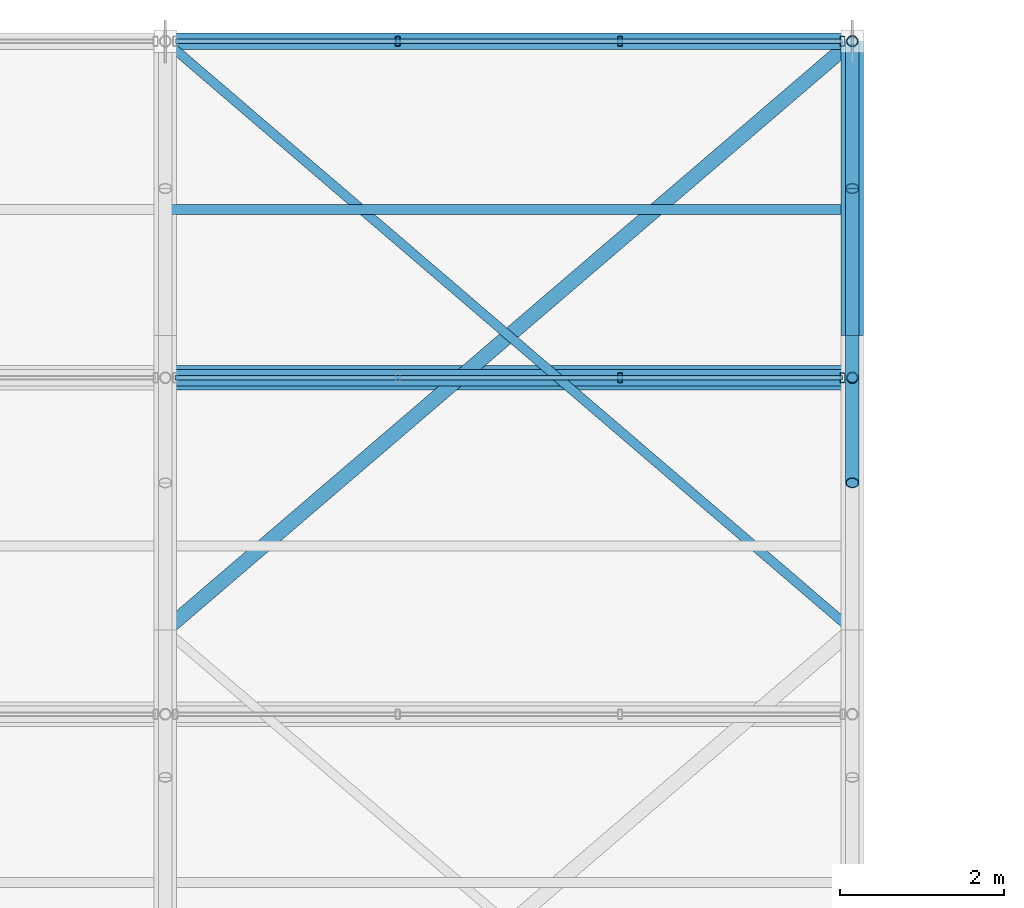
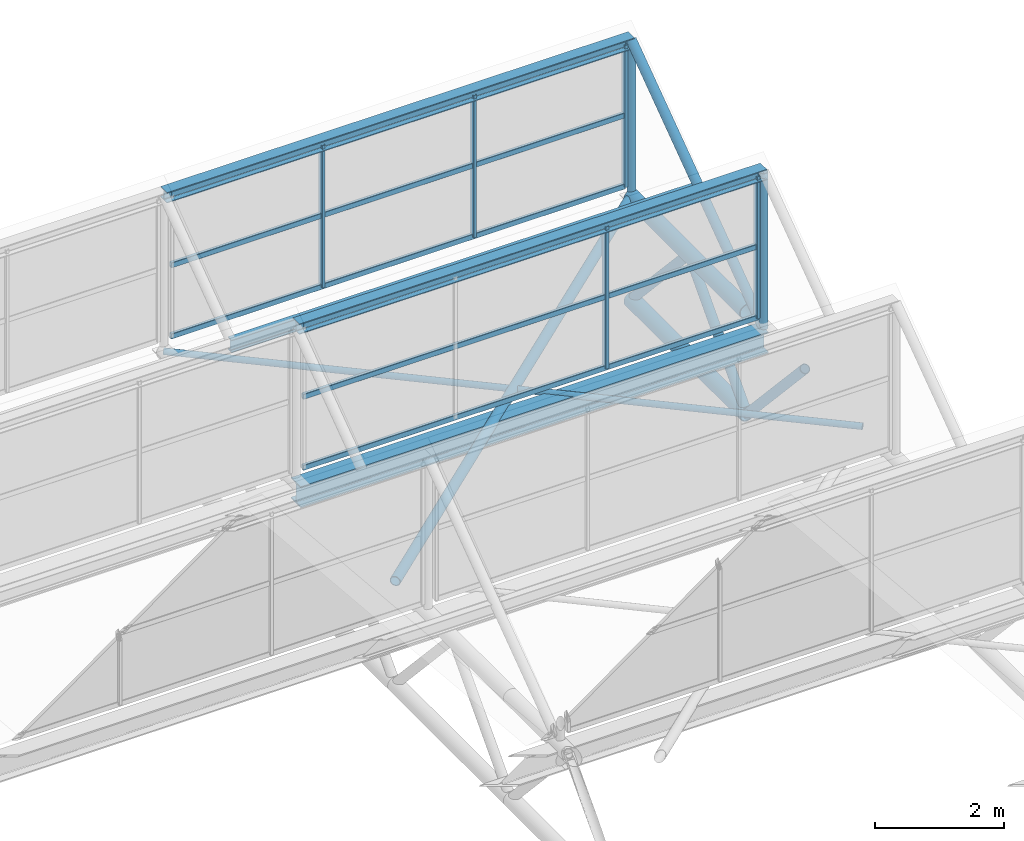
# One storey, part 93 of 134: 21 members, 4 beams, 2 elements without a shape of their own.
"""IFC4 building model written with IfcOpenShell, lengths in metres."""

from ifc_helpers import new_model, si_unit, derived_unit, direction, frame, origin, origin_2d, place, context, subcontext, project, spatial, hollow_rectangle, hollow_circle, i_section, extrude, material, material_profile, profile_set, type_object, element, aggregate, save


model = new_model("IFC4")

# Units and contexts
model_context = context("Model", 3, precision=1e-05, world=origin(), true_north=direction((0.0, 1.0)))
body_context = subcontext(model_context, "Body", "Model", "MODEL_VIEW")
ifc_project = project(units=[si_unit("LENGTHUNIT", "METRE"), si_unit("AREAUNIT", "SQUARE_METRE"), si_unit("VOLUMEUNIT", "CUBIC_METRE"), si_unit("PLANEANGLEUNIT", "RADIAN"), si_unit("MASSUNIT", "GRAM", prefix="KILO"), derived_unit("THERMALTRANSMITTANCEUNIT", [(si_unit("MASSUNIT", "GRAM", prefix="KILO"), 1), (si_unit("TIMEUNIT", "SECOND"), -3), (si_unit("THERMODYNAMICTEMPERATUREUNIT", "KELVIN"), -1)])], contexts=[model_context])

# Site, building, storey
site_placement = place(None, origin())
site = spatial("IfcSite", under=ifc_project, at=site_placement, CompositionType="ELEMENT")
building_placement = place(site_placement, origin())
building = spatial("IfcBuilding", under=site, at=building_placement, Name="Kharveza Railside Sports Centre", CompositionType="ELEMENT")
storey_placement = place(building_placement, frame((0.0, 0.0, 12.89990234375)))
storey = spatial("IfcBuildingStorey", under=building, at=storey_placement, Name="L03", CompositionType="ELEMENT", Elevation=12.89990234375)

# Beams
ifc_material_1 = material(Name="Steel S355J2", Category="steel")
ifc_material_profile_1 = material_profile(ifc_material_1, i_section(OverallWidth=0.300048828125, OverallDepth=0.39990234375, WebThickness=0.013427734375, FlangeThickness=0.02392578125, FilletRadius=0.027099609375, at=origin_2d()), Name="HEB 400")
ifc_profile_set_1 = profile_set([ifc_material_profile_1], Name="Steel S355J2")
beam_type_1 = type_object("IfcBeamType", Name="BM-G07", PredefinedType="T_BEAM", material=ifc_profile_set_1)
beam_1_placement = place(storey_placement, frame((134.39990234375, 103.8857421875, 1.760009765625), z_axis=(1.0, 0.0, 0.0), x_axis=(0.0, 1.0, 0.0)))
element("IfcBeam", 1, at=beam_1_placement, inside=storey, type_object=beam_type_1, Name="BM-V2SAW-VAL-7-6", PredefinedType="T_BEAM", context=body_context, shape_type="SweptSolid", body=[
    extrude(i_section(OverallWidth=0.300048828125, OverallDepth=0.39990234375, WebThickness=0.013427734375, FlangeThickness=0.02392578125, FilletRadius=0.027099609375, at=origin_2d()), origin(), (0.0, 0.0, 1.0), 8.400146484375),
])
ifc_material_2 = material(Name="Steel S275JR", Category="steel")
ifc_material_profile_2 = material_profile(ifc_material_2, i_section(OverallWidth=0.1201171875, OverallDepth=0.239990234375, WebThickness=0.006103515625, FlangeThickness=0.009765625, FilletRadius=0.014892578125, at=origin_2d()), Name="IPE 240")
ifc_profile_set_2 = profile_set([ifc_material_profile_2], Name="Steel S275JR")
beam_type_2 = type_object("IfcBeamType", Name="BM-J01", PredefinedType="JOIST", material=ifc_profile_set_2)
beam_2_placement = place(storey_placement, frame((134.39990234375, 105.94287109375, 3.320068359375), z_axis=(1.0, 0.0, 0.0), x_axis=(0.0, 1.0, 0.0)))
element("IfcBeam", 2, at=beam_2_placement, inside=storey, type_object=beam_type_2, Name="BM-V2SAW-PUR-7-6", PredefinedType="JOIST", context=body_context, shape_type="SweptSolid", body=[
    extrude(i_section(OverallWidth=0.1201171875, OverallDepth=0.239990234375, WebThickness=0.006103515625, FlangeThickness=0.009765625, FilletRadius=0.014892578125, at=origin_2d()), origin(), (0.0, 0.0, 1.0), 8.400146484375),
])
ifc_material_profile_3 = material_profile(ifc_material_2, i_section(OverallWidth=0.199951171875, OverallDepth=0.199951171875, WebThickness=0.009033203125, FlangeThickness=0.014892578125, FilletRadius=0.01806640625, at=origin_2d()), Name="HEB 200")
ifc_profile_set_3 = profile_set([ifc_material_profile_3], Name="Steel S275JR")
beam_type_3 = type_object("IfcBeamType", Name="BM-J05", PredefinedType="JOIST", material=ifc_profile_set_3)
for number, where, z_axis, x_axis, name in (
    (3, (134.39990234375, 103.8857421875, 4.920166015625), (1.0, 0.0, 0.0), (0.0, 1.0, 0.0), "BM-V2SAW-RDG-6-6"),
    (4, (134.39990234375, 108.0, 4.920166015625), (1.0, 0.0, 0.0), (0.0, 1.0, 0.0), "BM-V2SAW-RDG-7-6"),
):
    element("IfcBeam", number, at=place(storey_placement, frame(where, z_axis=z_axis, x_axis=x_axis)), inside=storey, type_object=beam_type_3, Name=name, PredefinedType="JOIST", context=body_context, shape_type="SweptSolid", body=[
        extrude(i_section(OverallWidth=0.199951171875, OverallDepth=0.199951171875, WebThickness=0.009033203125, FlangeThickness=0.014892578125, FilletRadius=0.01806640625, at=origin_2d()), origin(), (0.0, 0.0, 1.0), 8.400146484375),
    ])

# Curtain wall, members
ifc_material_3 = material(Name="Low-E solar-control laminated glass", Category="glass")
curtain_wall_type = type_object("IfcCurtainWallType", Name="CW-NL02", PredefinedType="NOTDEFINED", material=ifc_material_3)
curtain_wall_1_placement = place(storey_placement, origin())
curtain_wall_1 = element("IfcCurtainWall", 5, at=curtain_wall_1_placement, inside=storey, type_object=curtain_wall_type, Name="CW-V2NL-6-6", PredefinedType="NOTDEFINED")
ifc_material_4 = material(Name="Anodised aluminium 6063-T6", Category="aluminium")
ifc_material_profile_4 = material_profile(ifc_material_4, hollow_rectangle(XDim=0.06005859375, YDim=0.1201171875, WallThickness=0.0048828125, InnerFilletRadius=0.0048828125, OuterFilletRadius=0.010009765625, at=origin_2d()), Name="RHS 60x120x5.0")
ifc_profile_set_4 = profile_set([ifc_material_profile_4], Name="Anodised aluminium 6063-T6")
member_type_1 = type_object("IfcMemberType", Name="CW-ML05", PredefinedType="MULLION", material=ifc_profile_set_4)
member_1_placement = place(storey_placement, frame((139.9599609375, 103.8857421875, 2.2001953125), z_axis=(0.0, 0.0, 1.0), x_axis=(1.0, 0.0, 0.0)))
member_1 = element("IfcMember", 6, at=member_1_placement, type_object=member_type_1, Name="CW-V2NL-6-6-ML3", PredefinedType="MULLION", context=body_context, shape_type="SweptSolid", body=[
    extrude(hollow_rectangle(XDim=0.06005859375, YDim=0.1201171875, WallThickness=0.0048828125, InnerFilletRadius=0.0048828125, OuterFilletRadius=0.010009765625, at=origin_2d()), origin(), (0.0, 0.0, 1.0), 2.699951171875),
])
member_2_placement = place(storey_placement, frame((142.679931640625, 103.8857421875, 2.2001953125), z_axis=(0.0, 0.0, 1.0), x_axis=(1.0, 0.0, 0.0)))
member_2 = element("IfcMember", 7, at=member_2_placement, type_object=member_type_1, Name="CW-V2NL-6-6-ML4", PredefinedType="MULLION", context=body_context, shape_type="SweptSolid", body=[
    extrude(hollow_rectangle(XDim=0.06005859375, YDim=0.1201171875, WallThickness=0.0048828125, InnerFilletRadius=0.0048828125, OuterFilletRadius=0.010009765625, at=origin_2d()), origin(), (0.0, 0.0, 1.0), 2.699951171875),
])

curtain_wall_2_placement = place(storey_placement, origin())
curtain_wall_2 = element("IfcCurtainWall", 8, at=curtain_wall_2_placement, inside=storey, type_object=curtain_wall_type, Name="CW-V2NL-7-6", PredefinedType="NOTDEFINED")
member_3_placement = place(storey_placement, frame((137.239990234375, 108.0, 2.2001953125), z_axis=(0.0, 0.0, 1.0), x_axis=(1.0, 0.0, 0.0)))
member_3 = element("IfcMember", 9, at=member_3_placement, type_object=member_type_1, Name="CW-V2NL-7-6-ML2", PredefinedType="MULLION", context=body_context, shape_type="SweptSolid", body=[
    extrude(hollow_rectangle(XDim=0.06005859375, YDim=0.1201171875, WallThickness=0.0048828125, InnerFilletRadius=0.0048828125, OuterFilletRadius=0.010009765625, at=origin_2d()), origin(), (0.0, 0.0, 1.0), 2.699951171875),
])
member_4_placement = place(storey_placement, frame((139.9599609375, 108.0, 2.2001953125), z_axis=(0.0, 0.0, 1.0), x_axis=(1.0, 0.0, 0.0)))
member_4 = element("IfcMember", 10, at=member_4_placement, type_object=member_type_1, Name="CW-V2NL-7-6-ML3", PredefinedType="MULLION", context=body_context, shape_type="SweptSolid", body=[
    extrude(hollow_rectangle(XDim=0.06005859375, YDim=0.1201171875, WallThickness=0.0048828125, InnerFilletRadius=0.0048828125, OuterFilletRadius=0.010009765625, at=origin_2d()), origin(), (0.0, 0.0, 1.0), 2.699951171875),
])
member_5_placement = place(storey_placement, frame((142.679931640625, 108.0, 2.2001953125), z_axis=(0.0, 0.0, 1.0), x_axis=(1.0, 0.0, 0.0)))
member_5 = element("IfcMember", 11, at=member_5_placement, type_object=member_type_1, Name="CW-V2NL-7-6-ML4", PredefinedType="MULLION", context=body_context, shape_type="SweptSolid", body=[
    extrude(hollow_rectangle(XDim=0.06005859375, YDim=0.1201171875, WallThickness=0.0048828125, InnerFilletRadius=0.0048828125, OuterFilletRadius=0.010009765625, at=origin_2d()), origin(), (0.0, 0.0, 1.0), 2.699951171875),
])

# Member
ifc_material_profile_5 = material_profile(ifc_material_4, hollow_rectangle(XDim=0.06005859375, YDim=0.10009765625, WallThickness=0.00390625, InnerFilletRadius=0.00390625, OuterFilletRadius=0.008056640625, at=origin_2d()), Name="RHS 60x100x4.0")
ifc_profile_set_5 = profile_set([ifc_material_profile_5], Name="Anodised aluminium 6063-T6")
member_type_2 = type_object("IfcMemberType", Name="CW-TR05", PredefinedType="USERDEFINED", material=ifc_profile_set_5)
member_6_placement = place(storey_placement, frame((134.52001953125, 103.8857421875, 2.2001953125), z_axis=(1.0, 0.0, 0.0), x_axis=(0.0, 1.0, 0.0)))
member_6 = element("IfcMember", 12, at=member_6_placement, type_object=member_type_2, Name="CW-V2NL-6-6-TR1", ObjectType="TRANSOM", PredefinedType="USERDEFINED", context=body_context, shape_type="SweptSolid", body=[
    extrude(hollow_rectangle(XDim=0.06005859375, YDim=0.10009765625, WallThickness=0.00390625, InnerFilletRadius=0.00390625, OuterFilletRadius=0.008056640625, at=origin_2d()), origin(), (0.0, 0.0, 1.0), 8.159912109375),
])

member_7_placement = place(storey_placement, frame((134.52001953125, 103.8857421875, 3.550048828125), z_axis=(1.0, 0.0, 0.0), x_axis=(0.0, 1.0, 0.0)))
member_7 = element("IfcMember", 13, at=member_7_placement, type_object=member_type_2, Name="CW-V2NL-6-6-TR2", ObjectType="TRANSOM", PredefinedType="USERDEFINED", context=body_context, shape_type="SweptSolid", body=[
    extrude(hollow_rectangle(XDim=0.06005859375, YDim=0.10009765625, WallThickness=0.00390625, InnerFilletRadius=0.00390625, OuterFilletRadius=0.008056640625, at=origin_2d()), origin(), (0.0, 0.0, 1.0), 8.159912109375),
])

member_8_placement = place(storey_placement, frame((134.52001953125, 103.8857421875, 4.900146484375), z_axis=(1.0, 0.0, 0.0), x_axis=(0.0, 1.0, 0.0)))
member_8 = element("IfcMember", 14, at=member_8_placement, type_object=member_type_2, Name="CW-V2NL-6-6-TR3", ObjectType="TRANSOM", PredefinedType="USERDEFINED", context=body_context, shape_type="SweptSolid", body=[
    extrude(hollow_rectangle(XDim=0.06005859375, YDim=0.10009765625, WallThickness=0.00390625, InnerFilletRadius=0.00390625, OuterFilletRadius=0.008056640625, at=origin_2d()), origin(), (0.0, 0.0, 1.0), 8.159912109375),
])

aggregate(curtain_wall_1, [member_1, member_2, member_6, member_7, member_8])

member_9_placement = place(storey_placement, frame((134.52001953125, 108.0, 2.2001953125), z_axis=(1.0, 0.0, 0.0), x_axis=(0.0, 1.0, 0.0)))
member_9 = element("IfcMember", 15, at=member_9_placement, type_object=member_type_2, Name="CW-V2NL-7-6-TR1", ObjectType="TRANSOM", PredefinedType="USERDEFINED", context=body_context, shape_type="SweptSolid", body=[
    extrude(hollow_rectangle(XDim=0.06005859375, YDim=0.10009765625, WallThickness=0.00390625, InnerFilletRadius=0.00390625, OuterFilletRadius=0.008056640625, at=origin_2d()), origin(), (0.0, 0.0, 1.0), 8.159912109375),
])

member_10_placement = place(storey_placement, frame((134.52001953125, 108.0, 3.550048828125), z_axis=(1.0, 0.0, 0.0), x_axis=(0.0, 1.0, 0.0)))
member_10 = element("IfcMember", 16, at=member_10_placement, type_object=member_type_2, Name="CW-V2NL-7-6-TR2", ObjectType="TRANSOM", PredefinedType="USERDEFINED", context=body_context, shape_type="SweptSolid", body=[
    extrude(hollow_rectangle(XDim=0.06005859375, YDim=0.10009765625, WallThickness=0.00390625, InnerFilletRadius=0.00390625, OuterFilletRadius=0.008056640625, at=origin_2d()), origin(), (0.0, 0.0, 1.0), 8.159912109375),
])

member_11_placement = place(storey_placement, frame((134.52001953125, 108.0, 4.900146484375), z_axis=(1.0, 0.0, 0.0), x_axis=(0.0, 1.0, 0.0)))
member_11 = element("IfcMember", 17, at=member_11_placement, type_object=member_type_2, Name="CW-V2NL-7-6-TR3", ObjectType="TRANSOM", PredefinedType="USERDEFINED", context=body_context, shape_type="SweptSolid", body=[
    extrude(hollow_rectangle(XDim=0.06005859375, YDim=0.10009765625, WallThickness=0.00390625, InnerFilletRadius=0.00390625, OuterFilletRadius=0.008056640625, at=origin_2d()), origin(), (0.0, 0.0, 1.0), 8.159912109375),
])

aggregate(curtain_wall_2, [member_3, member_4, member_5, member_9, member_10, member_11])

# Members
ifc_material_profile_6 = material_profile(ifc_material_1, hollow_circle(Radius=0.0888671875, WallThickness=0.010009765625, at=origin_2d()), Name="CHS 177.8x10.0")
ifc_profile_set_6 = profile_set([ifc_material_profile_6], Name="Steel S355J2")
member_type_3 = type_object("IfcMemberType", Name="MB-BR03", PredefinedType="BRACE", material=ifc_profile_set_6)
member_12_placement = place(storey_placement, frame((134.39990234375, 100.800048828125, 1.9501953125), z_axis=(0.759264390716, 0.650782286936, 0.0), x_axis=(-0.650782286936, 0.759264390716, 0.0)))
element("IfcMember", 18, at=member_12_placement, inside=storey, type_object=member_type_3, Name="MB-ROOFBR-V2-6-4A", PredefinedType="BRACE", context=body_context, shape_type="SweptSolid", body=[
    extrude(hollow_circle(Radius=0.0888671875, WallThickness=0.010009765625, at=origin_2d()), origin(), (0.0, 0.0, 1.0), 11.0634765625),
])
ifc_material_profile_7 = material_profile(ifc_material_2, hollow_circle(Radius=0.05712890625, WallThickness=0.00634765625, at=origin_2d()), Name="CHS 114.3x6.3")
ifc_profile_set_7 = profile_set([ifc_material_profile_7], Name="Steel S275JR")
member_type_4 = type_object("IfcMemberType", Name="MB-BR04", PredefinedType="BRACE", material=ifc_profile_set_7)
member_13_placement = place(storey_placement, frame((142.800048828125, 100.800048828125, 1.9501953125), z_axis=(-0.759264390716, 0.650782286936, 0.0), x_axis=(-0.650782286936, -0.759264390716, 0.0)))
element("IfcMember", 19, at=member_13_placement, inside=storey, type_object=member_type_4, Name="MB-ROOFBR-V2-6-4B", PredefinedType="BRACE", context=body_context, shape_type="SweptSolid", body=[
    extrude(hollow_circle(Radius=0.05712890625, WallThickness=0.00634765625, at=origin_2d()), origin(), (0.0, 0.0, 1.0), 11.0634765625),
])
ifc_material_profile_8 = material_profile(ifc_material_1, hollow_circle(Radius=0.136474609375, WallThickness=0.01416015625, at=origin_2d()), Name="CHS 273.0x14.2")
ifc_profile_set_8 = profile_set([ifc_material_profile_8], Name="Steel S355J2")
member_type_5 = type_object("IfcMemberType", Name="MB-CH03", PredefinedType="CHORD", material=ifc_profile_set_8)
for number, where, z_axis, x_axis, name in (
    (20, (142.800048828125, 104.39990234375, 0.0), (0.0, 1.0, 0.0), (-1.0, 0.0, 0.0), "MB-V2TR-BC-7-8"),
    (21, (142.800048828125, 104.39990234375, 1.9501953125), (0.0, 1.0, 0.0), (-1.0, 0.0, 0.0), "MB-V2TR-TC-7-8"),
):
    element("IfcMember", number, at=place(storey_placement, frame(where, z_axis=z_axis, x_axis=x_axis)), inside=storey, type_object=member_type_5, Name=name, PredefinedType="CHORD", context=body_context, shape_type="SweptSolid", body=[
        extrude(hollow_circle(Radius=0.136474609375, WallThickness=0.01416015625, at=origin_2d()), origin(), (0.0, 0.0, 1.0), 3.60009765625),
    ])
ifc_material_profile_9 = material_profile(ifc_material_1, hollow_circle(Radius=0.084228515625, WallThickness=0.010009765625, at=origin_2d()), Name="CHS 168.3x10.0")
ifc_profile_set_9 = profile_set([ifc_material_profile_9], Name="Steel S355J2")
member_type_6 = type_object("IfcMemberType", Name="MB-ST03", PredefinedType="STRUT", material=ifc_profile_set_9)
member_14_placement = place(storey_placement, frame((142.800048828125, 102.60009765625, 1.9501953125), z_axis=(0.0, 0.678203679629, -0.734873981671), x_axis=(-1.0, 0.0, 0.0)))
element("IfcMember", 22, at=member_14_placement, inside=storey, type_object=member_type_6, Name="MB-V2TR-D2-7-7", PredefinedType="STRUT", context=body_context, shape_type="SweptSolid", body=[
    extrude(hollow_circle(Radius=0.084228515625, WallThickness=0.010009765625, at=origin_2d()), origin(), (0.0, 0.0, 1.0), 2.65380859375),
])
for number, where, z_axis, x_axis, name in (
    (23, (142.800048828125, 104.39990234375, 0.0), (0.0, 0.67825335715, 0.734828131956), (-1.0, 0.0, 0.0), "MB-V2TR-D1-7-8"),
    (24, (142.800048828125, 106.199951171875, 1.9501953125), (0.0, 0.67825335715, -0.734828131956), (-1.0, 0.0, 0.0), "MB-V2TR-D2-7-8"),
):
    element("IfcMember", number, at=place(storey_placement, frame(where, z_axis=z_axis, x_axis=x_axis)), inside=storey, type_object=member_type_6, Name=name, PredefinedType="STRUT", context=body_context, shape_type="SweptSolid", body=[
        extrude(hollow_circle(Radius=0.084228515625, WallThickness=0.010009765625, at=origin_2d()), origin(), (0.0, 0.0, 1.0), 2.654052734375),
    ])
member_15_placement = place(storey_placement, frame((142.800048828125, 103.8857421875, 1.9501953125), z_axis=(0.0, 0.810813691418, 0.585304329225), x_axis=(-1.0, 0.0, 0.0)))
element("IfcMember", 25, at=member_15_placement, inside=storey, type_object=member_type_6, Name="MB-V2SAW-RFT-7-7", PredefinedType="STRUT", context=body_context, shape_type="SweptSolid", body=[
    extrude(hollow_circle(Radius=0.084228515625, WallThickness=0.010009765625, at=origin_2d()), origin(), (0.0, 0.0, 1.0), 5.07421875),
])
ifc_material_profile_10 = material_profile(ifc_material_1, hollow_circle(Radius=0.06982421875, WallThickness=0.008056640625, at=origin_2d()), Name="CHS 139.7x8.0")
ifc_profile_set_10 = profile_set([ifc_material_profile_10], Name="Steel S355J2")
member_type_7 = type_object("IfcMemberType", Name="MB-ST04", PredefinedType="STRUT", material=ifc_profile_set_10)
for number, where, z_axis, x_axis, name in (
    (26, (142.800048828125, 103.8857421875, 1.9501953125), (0.0, 0.0, 1.0), (1.0, 0.0, 0.0), "MB-V2SAW-PST-6-7"),
    (27, (142.800048828125, 108.0, 1.9501953125), (0.0, 0.0, 1.0), (1.0, 0.0, 0.0), "MB-V2SAW-PST-7-7"),
):
    element("IfcMember", number, at=place(storey_placement, frame(where, z_axis=z_axis, x_axis=x_axis)), inside=storey, type_object=member_type_7, Name=name, PredefinedType="STRUT", context=body_context, shape_type="SweptSolid", body=[
        extrude(hollow_circle(Radius=0.06982421875, WallThickness=0.008056640625, at=origin_2d()), origin(), (0.0, 0.0, 1.0), 2.969970703125),
    ])

save(model, "model.ifc")
